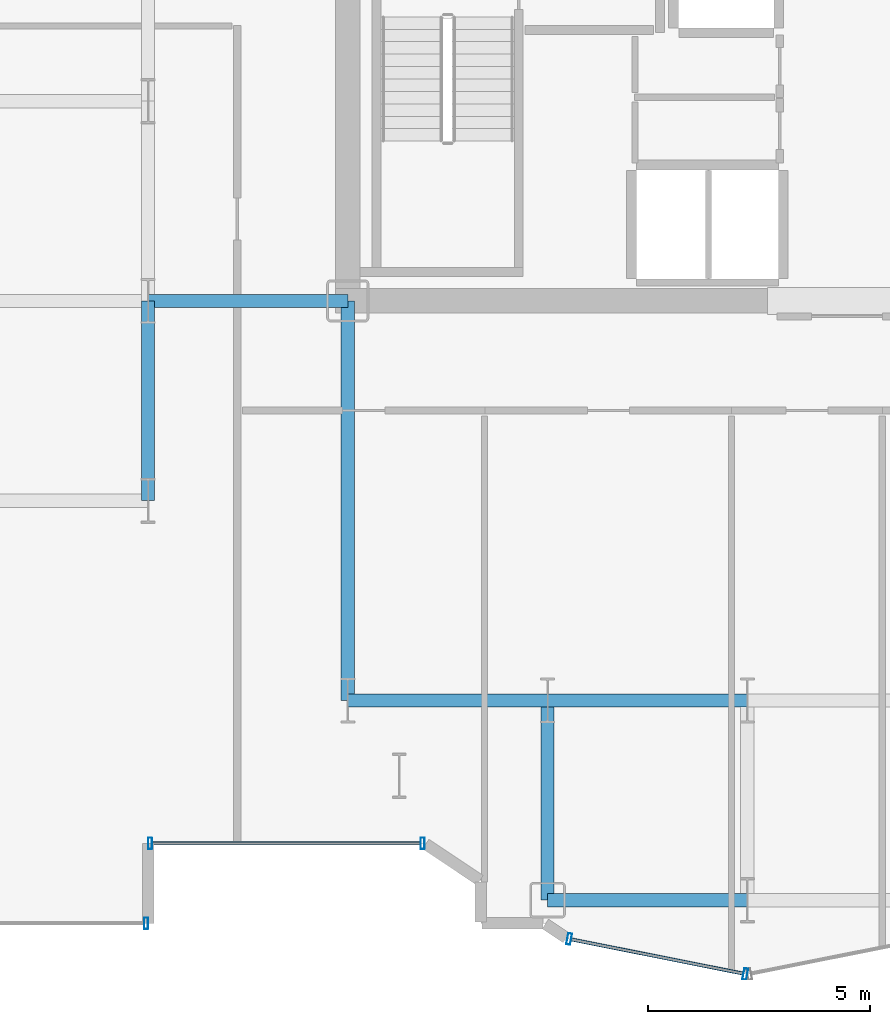
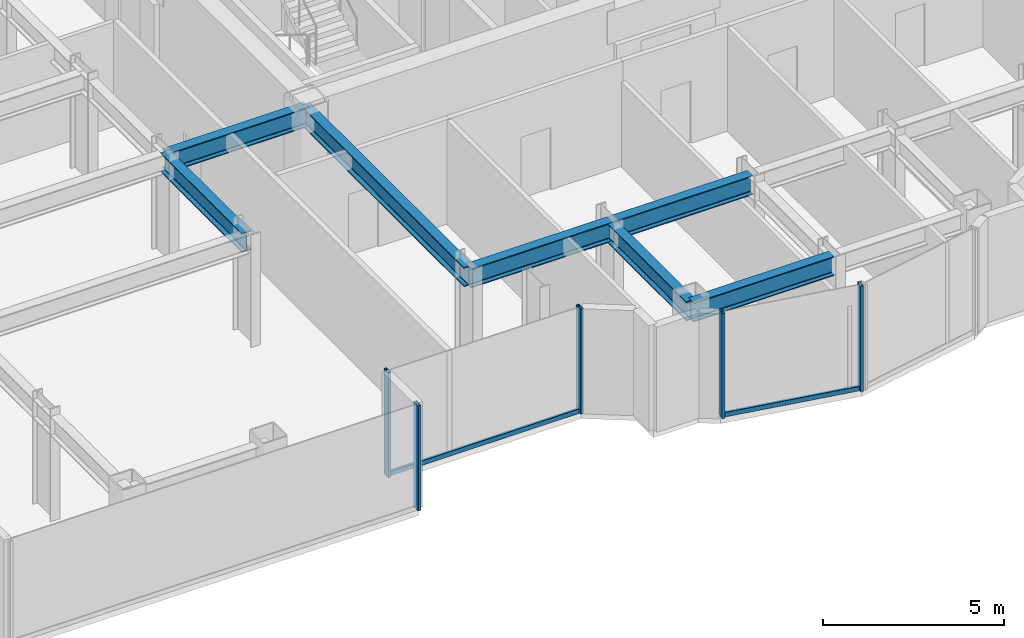
# One storey, part 4 of 25: 7 beams, 7 members, 3 elements without a shape of their own.
"""IFC4 building model written with IfcOpenShell, lengths in metres."""

from ifc_helpers import new_model, si_unit, direction, frame, origin, origin_2d, place, context, subcontext, project, spatial, hollow_rectangle, i_section, extrude, source, transform, mapped, material, layer, layer_set, material_profile, profile_set, type_object, element, aggregate, save


model = new_model("IFC4")

# Units and contexts
model_context = context("Model", 3, precision=1e-05, world=origin(), true_north=direction((0.0, 1.0)))
body_context = subcontext(model_context, "Body", "Model", "MODEL_VIEW")
ifc_project = project(units=[si_unit("LENGTHUNIT", "METRE"), si_unit("AREAUNIT", "SQUARE_METRE"), si_unit("VOLUMEUNIT", "CUBIC_METRE"), si_unit("PLANEANGLEUNIT", "RADIAN"), si_unit("MASSUNIT", "GRAM", prefix="KILO")], contexts=[model_context])

# Site, building, storey
site_placement = place(None, origin())
site = spatial("IfcSite", under=ifc_project, at=site_placement, CompositionType="ELEMENT")
building_placement = place(site_placement, origin())
building = spatial("IfcBuilding", under=site, at=building_placement, Name="Nefas-Gora Pilgrimage Tower", CompositionType="ELEMENT")
storey_placement = place(building_placement, frame((0.0, 0.0, 109.800048828125)))
storey = spatial("IfcBuildingStorey", under=building, at=storey_placement, Name="L26", CompositionType="ELEMENT", Elevation=109.800048828125)

# Beams
ifc_material_1 = material(Name="Steel S355", Category="steel")
ifc_material_profile_1 = material_profile(ifc_material_1, i_section(OverallWidth=0.300048828125, OverallDepth=0.64990234375, WebThickness=0.01611328125, FlangeThickness=0.031005859375, FilletRadius=0.027099609375, at=origin_2d()), Name="HEB 650")
ifc_profile_set_1 = profile_set([ifc_material_profile_1], Name="Steel S355")
beam_type = type_object("IfcBeamType", Name="BM-GIR-HEB650", PredefinedType="BEAM", material=ifc_profile_set_1)
shared_shape_1 = source(origin(), body_context, "Body", "SweptSolid", [
    extrude(i_section(OverallWidth=0.300048828125, OverallDepth=0.64990234375, WebThickness=0.01611328125, FlangeThickness=0.031005859375, FilletRadius=0.027099609375, at=origin_2d()), origin(), (0.0, 0.0, 1.0), 9.0),
])
beam_placement = place(storey_placement, frame((-11.25, -18.0, 3.224853515625), z_axis=(0.0, 1.0, 0.0), x_axis=(-1.0, 0.0, 0.0)))
element("IfcBeam", 1, at=beam_placement, inside=storey, type_object=beam_type, Name="L26 G-03 beam", PredefinedType="BEAM", context=body_context, shape_type="MappedRepresentation", body=[
    mapped(shared_shape_1, transform((0.0, 0.0, 0.0), x_axis=(1.0, 0.0, 0.0), y_axis=(0.0, 1.0, 0.0), z_axis=(0.0, 0.0, 1.0), scale=1.0)),
])
shared_shape_2 = source(origin(), body_context, "Body", "SweptSolid", [
    extrude(i_section(OverallWidth=0.300048828125, OverallDepth=0.64990234375, WebThickness=0.01611328125, FlangeThickness=0.031005859375, FilletRadius=0.027099609375, at=origin_2d()), origin(), (0.0, 0.0, 1.0), 4.5),
])
for number, where, z_axis, x_axis, name in (
    (2, (-15.75, -13.5, 3.224853515625), (0.0, 1.0, 0.0), (-1.0, 0.0, 0.0), "L26 G-03 beam"),
    (3, (-15.75, -9.0, 3.224853515625), (1.0, 0.0, 0.0), (0.0, 1.0, 0.0), "L26 G-03 beam"),
    (4, (-11.25, -18.0, 3.224853515625), (1.0, 0.0, 0.0), (0.0, 1.0, 0.0), "L26 G-03 beam"),
    (5, (-6.75, -22.5, 3.224853515625), (0.0, 1.0, 0.0), (-1.0, 0.0, 0.0), "L26 G-03 beam"),
    (6, (-6.75, -22.5, 3.224853515625), (1.0, 0.0, 0.0), (0.0, 1.0, 0.0), "L26 G-03 beam"),
    (7, (-6.75, -18.0, 3.224853515625), (1.0, 0.0, 0.0), (0.0, 1.0, 0.0), "L26 G-03 beam"),
):
    element("IfcBeam", number, at=place(storey_placement, frame(where, z_axis=z_axis, x_axis=x_axis)), inside=storey, type_object=beam_type, Name=name, PredefinedType="BEAM", context=body_context, shape_type="MappedRepresentation", body=[
        mapped(shared_shape_2, transform((0.0, 0.0, 0.0), x_axis=(1.0, 0.0, 0.0), y_axis=(0.0, 1.0, 0.0), z_axis=(0.0, 0.0, 1.0), scale=1.0)),
    ])

# Curtain wall, members
ifc_material_2 = material(Name="Dark ceramic-fritted solar-control aluminium-glass curtain wall", Category="aluminium")
ifc_layer_1 = layer(ifc_material_2, 0.219970703125)
ifc_layer_set_1 = layer_set([ifc_layer_1], Name="Dark ceramic-fritted solar-control aluminium-glass curtain wall")
curtain_wall_type_1 = type_object("IfcCurtainWallType", Name="CW-SYS-5", PredefinedType="NOTDEFINED", material=ifc_layer_set_1)
curtain_wall_1_placement = place(storey_placement, origin())
curtain_wall_1 = element("IfcCurtainWall", 8, at=curtain_wall_1_placement, inside=storey, type_object=curtain_wall_type_1, Name="L26 Unitised Curtain Wall CW5", PredefinedType="NOTDEFINED")
ifc_material_3 = material(Name="Anodised architectural aluminium", Category="aluminium")
ifc_material_profile_2 = material_profile(ifc_material_3, hollow_rectangle(XDim=0.090087890625, YDim=0.260009765625, WallThickness=0.006103515625, InnerFilletRadius=0.006103515625, OuterFilletRadius=0.011962890625, at=origin_2d()), Name="ALU MULLION 90x260")
ifc_profile_set_2 = profile_set([ifc_material_profile_2], Name="Anodised architectural aluminium")
member_type_1 = type_object("IfcMemberType", Name="CWM-MUL-5", PredefinedType="MULLION", material=ifc_profile_set_2)
shared_shape_3 = source(origin(), body_context, "Body", "SweptSolid", [
    extrude(hollow_rectangle(XDim=0.090087890625, YDim=0.260009765625, WallThickness=0.006103515625, InnerFilletRadius=0.006103515625, OuterFilletRadius=0.011962890625, at=origin_2d()), origin(), (0.0, 0.0, 1.0), 3.550048828125),
])
member_1_placement = place(storey_placement, frame((-15.705078125, -21.219970703125, 0.0), z_axis=(0.0, 0.0, 1.0), x_axis=(1.0, 0.0, 0.0)))
member_1 = element("IfcMember", 9, at=member_1_placement, type_object=member_type_1, Name="CW5 Mullion 1", PredefinedType="MULLION", context=body_context, shape_type="MappedRepresentation", body=[
    mapped(shared_shape_3, transform((0.0, 0.0, 0.0), x_axis=(1.0, 0.0, 0.0), y_axis=(0.0, 1.0, 0.0), z_axis=(0.0, 0.0, 1.0), scale=1.0)),
])
member_2_placement = place(storey_placement, frame((-9.56298828125, -21.219970703125, 0.0), z_axis=(0.0, 0.0, 1.0), x_axis=(1.0, 0.0, 0.0)))
member_2 = element("IfcMember", 10, at=member_2_placement, type_object=member_type_1, Name="CW5 Mullion 2", PredefinedType="MULLION", context=body_context, shape_type="MappedRepresentation", body=[
    mapped(shared_shape_3, transform((0.0, 0.0, 0.0), x_axis=(1.0, 0.0, 0.0), y_axis=(0.0, 1.0, 0.0), z_axis=(0.0, 0.0, 1.0), scale=1.0)),
])

curtain_wall_2_placement = place(storey_placement, origin())
curtain_wall_2 = element("IfcCurtainWall", 11, at=curtain_wall_2_placement, inside=storey, type_object=curtain_wall_type_1, Name="L26 Unitised Curtain Wall CW5", PredefinedType="NOTDEFINED")
member_3_placement = place(storey_placement, frame((-6.26318359375, -23.3740234375, 0.0), z_axis=(0.0, 0.0, 1.0), x_axis=(0.980782896852, -0.195102304554, 0.0)))
member_3 = element("IfcMember", 12, at=member_3_placement, type_object=member_type_1, Name="CW5 Mullion 1", PredefinedType="MULLION", context=body_context, shape_type="MappedRepresentation", body=[
    mapped(shared_shape_3, transform((0.0, 0.0, 0.0), x_axis=(1.0, 0.0, 0.0), y_axis=(0.0, 1.0, 0.0), z_axis=(0.0, 0.0, 1.0), scale=1.0)),
])
member_4_placement = place(storey_placement, frame((-2.294189453125, -24.16357421875, 0.0), z_axis=(0.0, 0.0, 1.0), x_axis=(0.980782896852, -0.195102304554, 0.0)))
member_4 = element("IfcMember", 13, at=member_4_placement, type_object=member_type_1, Name="CW5 Mullion 2", PredefinedType="MULLION", context=body_context, shape_type="MappedRepresentation", body=[
    mapped(shared_shape_3, transform((0.0, 0.0, 0.0), x_axis=(1.0, 0.0, 0.0), y_axis=(0.0, 1.0, 0.0), z_axis=(0.0, 0.0, 1.0), scale=1.0)),
])

# Member
ifc_material_profile_3 = material_profile(ifc_material_3, hollow_rectangle(XDim=0.080078125, YDim=0.159912109375, WallThickness=0.00439453125, InnerFilletRadius=0.00439453125, OuterFilletRadius=0.009033203125, at=origin_2d()), Name="ALU TRANSOM 80x160")
ifc_profile_set_3 = profile_set([ifc_material_profile_3], Name="Anodised architectural aluminium")
member_type_2 = type_object("IfcMemberType", Name="CWM-TRN-5", PredefinedType="USERDEFINED", material=ifc_profile_set_3)
shared_shape_4 = source(origin(), body_context, "Body", "SweptSolid", [
    extrude(hollow_rectangle(XDim=0.080078125, YDim=0.159912109375, WallThickness=0.00439453125, InnerFilletRadius=0.00439453125, OuterFilletRadius=0.009033203125, at=origin_2d()), origin(), (0.0, 0.0, 1.0), 6.052001953125),
])
member_5_placement = place(storey_placement, frame((-15.659912109375, -21.219970703125, 0.050048828125), z_axis=(1.0, 0.0, 0.0), x_axis=(0.0, 1.0, 0.0)))
member_5 = element("IfcMember", 14, at=member_5_placement, type_object=member_type_2, Name="CW5 Spandrel Transom", ObjectType="TRANSOM", PredefinedType="USERDEFINED", context=body_context, shape_type="MappedRepresentation", body=[
    mapped(shared_shape_4, transform((0.0, 0.0, 0.0), x_axis=(1.0, 0.0, 0.0), y_axis=(0.0, 1.0, 0.0), z_axis=(0.0, 0.0, 1.0), scale=1.0)),
])

aggregate(curtain_wall_1, [member_1, member_2, member_5])

# Curtain wall, member
ifc_layer_2 = layer(ifc_material_2, 0.219970703125)
ifc_layer_set_2 = layer_set([ifc_layer_2], Name="Dark ceramic-fritted solar-control aluminium-glass curtain wall")
curtain_wall_type_2 = type_object("IfcCurtainWallType", Name="CW-SYS-2", PredefinedType="NOTDEFINED", material=ifc_layer_set_2)
curtain_wall_3_placement = place(storey_placement, origin())
curtain_wall_3 = element("IfcCurtainWall", 15, at=curtain_wall_3_placement, inside=storey, type_object=curtain_wall_type_2, Name="L26 Unitised Curtain Wall CW2", PredefinedType="NOTDEFINED")
ifc_material_profile_4 = material_profile(ifc_material_3, hollow_rectangle(XDim=0.090087890625, YDim=0.260009765625, WallThickness=0.006103515625, InnerFilletRadius=0.006103515625, OuterFilletRadius=0.011962890625, at=origin_2d()), Name="ALU MULLION 90x260")
ifc_profile_set_4 = profile_set([ifc_material_profile_4], Name="Anodised architectural aluminium")
member_type_3 = type_object("IfcMemberType", Name="CWM-MUL-2", PredefinedType="MULLION", material=ifc_profile_set_4)
shared_shape_5 = source(origin(), body_context, "Body", "SweptSolid", [
    extrude(hollow_rectangle(XDim=0.090087890625, YDim=0.260009765625, WallThickness=0.006103515625, InnerFilletRadius=0.006103515625, OuterFilletRadius=0.011962890625, at=origin_2d()), origin(), (0.0, 0.0, 1.0), 3.550048828125),
])
member_6_placement = place(storey_placement, frame((-15.794921875, -23.02001953125, 0.0), z_axis=(0.0, 0.0, 1.0), x_axis=(1.0, 0.0, 0.0)))
member_6 = element("IfcMember", 16, at=member_6_placement, type_object=member_type_3, Name="CW2 Mullion 2", PredefinedType="MULLION", context=body_context, shape_type="MappedRepresentation", body=[
    mapped(shared_shape_5, transform((0.0, 0.0, 0.0), x_axis=(1.0, 0.0, 0.0), y_axis=(0.0, 1.0, 0.0), z_axis=(0.0, 0.0, 1.0), scale=1.0)),
])
aggregate(curtain_wall_3, [member_6])

# Member
shared_shape_6 = source(origin(), body_context, "Body", "SweptSolid", [
    extrude(hollow_rectangle(XDim=0.080078125, YDim=0.159912109375, WallThickness=0.00439453125, InnerFilletRadius=0.00439453125, OuterFilletRadius=0.009033203125, at=origin_2d()), origin(), (0.0, 0.0, 1.0), 3.95654296875),
])
member_7_placement = place(storey_placement, frame((-6.218994140625, -23.3828125, 0.050048828125), z_axis=(0.980781880918, -0.195107411605, 0.0), x_axis=(0.195107411605, 0.980781880918, 0.0)))
member_7 = element("IfcMember", 17, at=member_7_placement, type_object=member_type_2, Name="CW5 Spandrel Transom", ObjectType="TRANSOM", PredefinedType="USERDEFINED", context=body_context, shape_type="MappedRepresentation", body=[
    mapped(shared_shape_6, transform((0.0, 0.0, 0.0), x_axis=(1.0, 0.0, 0.0), y_axis=(0.0, 1.0, 0.0), z_axis=(0.0, 0.0, 1.0), scale=1.0)),
])

aggregate(curtain_wall_2, [member_3, member_4, member_7])

save(model, "model.ifc")
